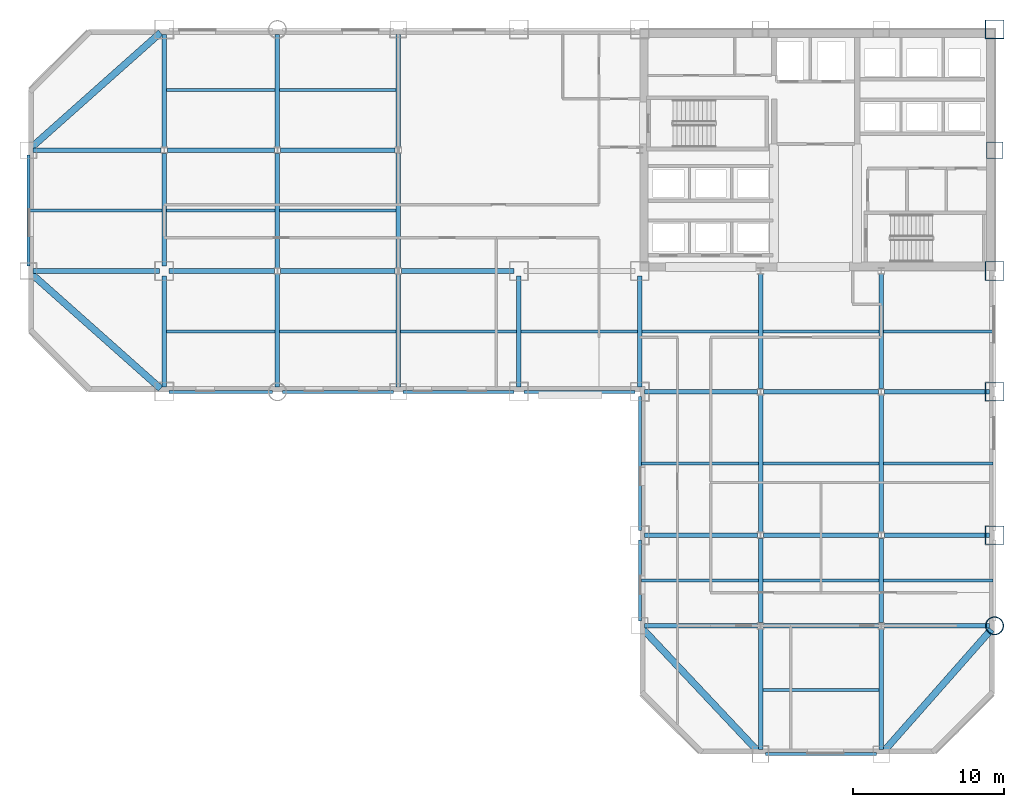
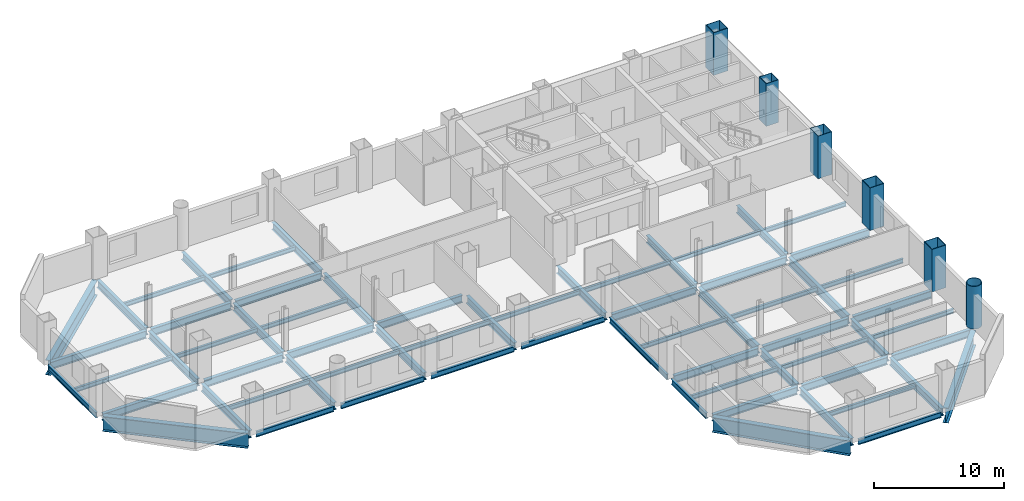
# One storey, part 3 of 9: 66 beams, 6 columns.
"""IFC4 building model written with IfcOpenShell, lengths in metres."""

from ifc_helpers import new_model, si_unit, direction, frame, origin, origin_2d, place, context, subcontext, project, spatial, hollow_rectangle, hollow_circle, i_section, extrude, material, material_profile, profile_set, type_object, element, save


model = new_model("IFC4")

# Units and contexts
model_context = context("Model", 3, precision=1e-05, world=origin(), true_north=direction((0.0, 1.0)))
body_context = subcontext(model_context, "Body", "Model", "MODEL_VIEW")
ifc_project = project(units=[si_unit("LENGTHUNIT", "METRE"), si_unit("AREAUNIT", "SQUARE_METRE"), si_unit("VOLUMEUNIT", "CUBIC_METRE"), si_unit("PLANEANGLEUNIT", "RADIAN"), si_unit("MASSUNIT", "GRAM", prefix="KILO")], contexts=[model_context])

# Site, building, storey
site_placement = place(None, origin())
site = spatial("IfcSite", under=ifc_project, at=site_placement, CompositionType="ELEMENT")
building_placement = place(site_placement, origin())
building = spatial("IfcBuilding", under=site, at=building_placement, Name="Qianrong Seaharbour Tower", CompositionType="ELEMENT")
storey_placement = place(building_placement, frame((0.0, 0.0, 60.199951171875)))
storey = spatial("IfcBuildingStorey", under=building, at=storey_placement, Name="L14", CompositionType="ELEMENT", Elevation=60.199951171875)

# Columns
ifc_material_1 = material(Name="Structural steel SN490B", Category="steel")
ifc_material_profile_1 = material_profile(ifc_material_1, hollow_rectangle(XDim=1.25, YDim=1.25, WallThickness=0.044921875, at=origin_2d()), Name="BOX1250x1250x45")
ifc_profile_set_1 = profile_set([ifc_material_profile_1], Name="Structural steel SN490B")
column_type_1 = type_object("IfcColumnType", Name="COL-CFT-1250", PredefinedType="COLUMN", material=ifc_profile_set_1)
for number, where, z_axis, x_axis, name in (
    (1, (64.0, 18.5, 0.0), (0.0, 0.0, 1.0), (1.0, 0.0, 0.0), "L14 Column MC-2 at G9/GD"),
    (2, (64.0, 28.0, 0.0), (0.0, 0.0, 1.0), (1.0, 0.0, 0.0), "L14 Column MC-2 at G9/GE"),
    (3, (64.0, 36.0, 0.0), (0.0, 0.0, 1.0), (1.0, 0.0, 0.0), "L14 Column MC-2 at G9/GF"),
    (4, (64.0, 52.0, 0.0), (0.0, 0.0, 1.0), (1.0, 0.0, 0.0), "L14 Column MC-2 at G9/GH"),
):
    element("IfcColumn", number, at=place(storey_placement, frame(where, z_axis=z_axis, x_axis=x_axis)), inside=storey, type_object=column_type_1, Name=name, PredefinedType="COLUMN", context=body_context, shape_type="SweptSolid", body=[
        extrude(hollow_rectangle(XDim=1.25, YDim=1.25, WallThickness=0.044921875, at=origin_2d()), origin(), (0.0, 0.0, 1.0), 4.0),
    ])
ifc_material_profile_2 = material_profile(ifc_material_1, hollow_circle(Radius=0.60009765625, WallThickness=0.0400390625, at=origin_2d()), Name="CHS1200x40")
ifc_profile_set_2 = profile_set([ifc_material_profile_2], Name="Structural steel SN490B")
column_type_2 = type_object("IfcColumnType", Name="COL-CHS-1200", PredefinedType="COLUMN", material=ifc_profile_set_2)
column_1_placement = place(storey_placement, frame((64.0, 12.5, 0.0), z_axis=(0.0, 0.0, 1.0), x_axis=(1.0, 0.0, 0.0)))
element("IfcColumn", 5, at=column_1_placement, inside=storey, type_object=column_type_2, Name="L14 Column CC-1 at G9/GC", PredefinedType="COLUMN", context=body_context, shape_type="SweptSolid", body=[
    extrude(hollow_circle(Radius=0.60009765625, WallThickness=0.0400390625, at=origin_2d()), origin(), (0.0, 0.0, 1.0), 4.0),
])
ifc_material_profile_3 = material_profile(ifc_material_1, hollow_rectangle(XDim=1.10009765625, YDim=1.10009765625, WallThickness=0.0400390625, at=origin_2d()), Name="BOX1100x1100x40")
ifc_profile_set_3 = profile_set([ifc_material_profile_3], Name="Structural steel SN490B")
column_type_3 = type_object("IfcColumnType", Name="COL-PER-1100", PredefinedType="COLUMN", material=ifc_profile_set_3)
column_2_placement = place(storey_placement, frame((64.0, 44.0, 0.0), z_axis=(0.0, 0.0, 1.0), x_axis=(1.0, 0.0, 0.0)))
element("IfcColumn", 6, at=column_2_placement, inside=storey, type_object=column_type_3, Name="L14 Column PC-1 at G9/GG", PredefinedType="COLUMN", context=body_context, shape_type="SweptSolid", body=[
    extrude(hollow_rectangle(XDim=1.10009765625, YDim=1.10009765625, WallThickness=0.0400390625, at=origin_2d()), origin(), (0.0, 0.0, 1.0), 4.0),
])

# Beams
ifc_material_profile_4 = material_profile(ifc_material_1, i_section(OverallWidth=0.300048828125, OverallDepth=0.699951171875, WebThickness=0.012939453125, FlangeThickness=0.02392578125, FilletRadius=0.02587890625, at=origin_2d()), Name="H700x300x13x24")
ifc_profile_set_4 = profile_set([ifc_material_profile_4], Name="Structural steel SN490B")
beam_type_1 = type_object("IfcBeamType", Name="BM-G-700", PredefinedType="BEAM", material=ifc_profile_set_4)
beam_1_placement = place(storey_placement, frame((40.820068359375, 12.5, -0.599853515625), z_axis=(1.0, 0.0, 0.0), x_axis=(0.0, 1.0, 0.0)))
element("IfcBeam", 7, at=beam_1_placement, inside=storey, type_object=beam_type_1, Name="L14 Primary Girder GC G6-G7", PredefinedType="BEAM", context=body_context, shape_type="SweptSolid", body=[
    extrude(i_section(OverallWidth=0.300048828125, OverallDepth=0.699951171875, WebThickness=0.012939453125, FlangeThickness=0.02392578125, FilletRadius=0.02587890625, at=origin_2d()), origin(), (0.0, 0.0, 1.0), 7.476318359375),
])
beam_2_placement = place(storey_placement, frame((48.70361328125, 12.5, -0.599853515625), z_axis=(1.0, 0.0, 0.0), x_axis=(0.0, 1.0, 0.0)))
element("IfcBeam", 8, at=beam_2_placement, inside=storey, type_object=beam_type_1, Name="L14 Primary Girder GC G7-G8", PredefinedType="BEAM", context=body_context, shape_type="SweptSolid", body=[
    extrude(i_section(OverallWidth=0.300048828125, OverallDepth=0.699951171875, WebThickness=0.012939453125, FlangeThickness=0.02392578125, FilletRadius=0.02587890625, at=origin_2d()), origin(), (0.0, 0.0, 1.0), 7.5927734375),
])
beam_3_placement = place(storey_placement, frame((56.70361328125, 12.5, -0.599853515625), z_axis=(1.0, 0.0, 0.0), x_axis=(0.0, 1.0, 0.0)))
element("IfcBeam", 9, at=beam_3_placement, inside=storey, type_object=beam_type_1, Name="L14 Primary Girder GC G8-G9", PredefinedType="BEAM", context=body_context, shape_type="SweptSolid", body=[
    extrude(i_section(OverallWidth=0.300048828125, OverallDepth=0.699951171875, WebThickness=0.012939453125, FlangeThickness=0.02392578125, FilletRadius=0.02587890625, at=origin_2d()), origin(), (0.0, 0.0, 1.0), 6.976318359375),
])
beam_4_placement = place(storey_placement, frame((40.820068359375, 18.5, -0.599853515625), z_axis=(1.0, 0.0, 0.0), x_axis=(0.0, 1.0, 0.0)))
element("IfcBeam", 10, at=beam_4_placement, inside=storey, type_object=beam_type_1, Name="L14 Primary Girder GD G6-G7", PredefinedType="BEAM", context=body_context, shape_type="SweptSolid", body=[
    extrude(i_section(OverallWidth=0.300048828125, OverallDepth=0.699951171875, WebThickness=0.012939453125, FlangeThickness=0.02392578125, FilletRadius=0.02587890625, at=origin_2d()), origin(), (0.0, 0.0, 1.0), 7.476318359375),
])
beam_5_placement = place(storey_placement, frame((48.70361328125, 18.5, -0.599853515625), z_axis=(1.0, 0.0, 0.0), x_axis=(0.0, 1.0, 0.0)))
element("IfcBeam", 11, at=beam_5_placement, inside=storey, type_object=beam_type_1, Name="L14 Primary Girder GD G7-G8", PredefinedType="BEAM", context=body_context, shape_type="SweptSolid", body=[
    extrude(i_section(OverallWidth=0.300048828125, OverallDepth=0.699951171875, WebThickness=0.012939453125, FlangeThickness=0.02392578125, FilletRadius=0.02587890625, at=origin_2d()), origin(), (0.0, 0.0, 1.0), 7.5927734375),
])
beam_6_placement = place(storey_placement, frame((56.70361328125, 18.5, -0.599853515625), z_axis=(1.0, 0.0, 0.0), x_axis=(0.0, 1.0, 0.0)))
element("IfcBeam", 12, at=beam_6_placement, inside=storey, type_object=beam_type_1, Name="L14 Primary Girder GD G8-G9", PredefinedType="BEAM", context=body_context, shape_type="SweptSolid", body=[
    extrude(i_section(OverallWidth=0.300048828125, OverallDepth=0.699951171875, WebThickness=0.012939453125, FlangeThickness=0.02392578125, FilletRadius=0.02587890625, at=origin_2d()), origin(), (0.0, 0.0, 1.0), 6.976318359375),
])
beam_7_placement = place(storey_placement, frame((40.820068359375, 28.0, -0.599853515625), z_axis=(1.0, 0.0, 0.0), x_axis=(0.0, 1.0, 0.0)))
element("IfcBeam", 13, at=beam_7_placement, inside=storey, type_object=beam_type_1, Name="L14 Primary Girder GE G6-G7", PredefinedType="BEAM", context=body_context, shape_type="SweptSolid", body=[
    extrude(i_section(OverallWidth=0.300048828125, OverallDepth=0.699951171875, WebThickness=0.012939453125, FlangeThickness=0.02392578125, FilletRadius=0.02587890625, at=origin_2d()), origin(), (0.0, 0.0, 1.0), 7.476318359375),
])
beam_8_placement = place(storey_placement, frame((48.70361328125, 28.0, -0.599853515625), z_axis=(1.0, 0.0, 0.0), x_axis=(0.0, 1.0, 0.0)))
element("IfcBeam", 14, at=beam_8_placement, inside=storey, type_object=beam_type_1, Name="L14 Primary Girder GE G7-G8", PredefinedType="BEAM", context=body_context, shape_type="SweptSolid", body=[
    extrude(i_section(OverallWidth=0.300048828125, OverallDepth=0.699951171875, WebThickness=0.012939453125, FlangeThickness=0.02392578125, FilletRadius=0.02587890625, at=origin_2d()), origin(), (0.0, 0.0, 1.0), 7.5927734375),
])
beam_9_placement = place(storey_placement, frame((56.70361328125, 28.0, -0.599853515625), z_axis=(1.0, 0.0, 0.0), x_axis=(0.0, 1.0, 0.0)))
element("IfcBeam", 15, at=beam_9_placement, inside=storey, type_object=beam_type_1, Name="L14 Primary Girder GE G8-G9", PredefinedType="BEAM", context=body_context, shape_type="SweptSolid", body=[
    extrude(i_section(OverallWidth=0.300048828125, OverallDepth=0.699951171875, WebThickness=0.012939453125, FlangeThickness=0.02392578125, FilletRadius=0.02587890625, at=origin_2d()), origin(), (0.0, 0.0, 1.0), 6.976318359375),
])
beam_10_placement = place(storey_placement, frame((0.320068359375, 36.0, -0.599853515625), z_axis=(1.0, 0.0, 0.0), x_axis=(0.0, 1.0, 0.0)))
element("IfcBeam", 16, at=beam_10_placement, inside=storey, type_object=beam_type_1, Name="L14 Primary Girder GF G1-G2", PredefinedType="BEAM", context=body_context, shape_type="SweptSolid", body=[
    extrude(i_section(OverallWidth=0.300048828125, OverallDepth=0.699951171875, WebThickness=0.012939453125, FlangeThickness=0.02392578125, FilletRadius=0.02587890625, at=origin_2d()), origin(), (0.0, 0.0, 1.0), 8.35986328125),
])
beam_11_placement = place(storey_placement, frame((9.320068359375, 36.0, -0.599853515625), z_axis=(1.0, 0.0, 0.0), x_axis=(0.0, 1.0, 0.0)))
element("IfcBeam", 17, at=beam_11_placement, inside=storey, type_object=beam_type_1, Name="L14 Primary Girder GF G2-G3", PredefinedType="BEAM", context=body_context, shape_type="SweptSolid", body=[
    extrude(i_section(OverallWidth=0.300048828125, OverallDepth=0.699951171875, WebThickness=0.012939453125, FlangeThickness=0.02392578125, FilletRadius=0.02587890625, at=origin_2d()), origin(), (0.0, 0.0, 1.0), 6.976318359375),
])
beam_12_placement = place(storey_placement, frame((16.70361328125, 36.0, -0.599853515625), z_axis=(1.0, 0.0, 0.0), x_axis=(0.0, 1.0, 0.0)))
element("IfcBeam", 18, at=beam_12_placement, inside=storey, type_object=beam_type_1, Name="L14 Primary Girder GF G3-G4", PredefinedType="BEAM", context=body_context, shape_type="SweptSolid", body=[
    extrude(i_section(OverallWidth=0.300048828125, OverallDepth=0.699951171875, WebThickness=0.012939453125, FlangeThickness=0.02392578125, FilletRadius=0.02587890625, at=origin_2d()), origin(), (0.0, 0.0, 1.0), 7.5927734375),
])
beam_13_placement = place(storey_placement, frame((24.70361328125, 36.0, -0.599853515625), z_axis=(1.0, 0.0, 0.0), x_axis=(0.0, 1.0, 0.0)))
element("IfcBeam", 19, at=beam_13_placement, inside=storey, type_object=beam_type_1, Name="L14 Primary Girder GF G4-G5", PredefinedType="BEAM", context=body_context, shape_type="SweptSolid", body=[
    extrude(i_section(OverallWidth=0.300048828125, OverallDepth=0.699951171875, WebThickness=0.012939453125, FlangeThickness=0.02392578125, FilletRadius=0.02587890625, at=origin_2d()), origin(), (0.0, 0.0, 1.0), 7.476318359375),
])
beam_14_placement = place(storey_placement, frame((0.320068359375, 44.0, -0.599853515625), z_axis=(1.0, 0.0, 0.0), x_axis=(0.0, 1.0, 0.0)))
element("IfcBeam", 20, at=beam_14_placement, inside=storey, type_object=beam_type_1, Name="L14 Primary Girder GG G1-G2", PredefinedType="BEAM", context=body_context, shape_type="SweptSolid", body=[
    extrude(i_section(OverallWidth=0.300048828125, OverallDepth=0.699951171875, WebThickness=0.012939453125, FlangeThickness=0.02392578125, FilletRadius=0.02587890625, at=origin_2d()), origin(), (0.0, 0.0, 1.0), 8.476318359375),
])
beam_15_placement = place(storey_placement, frame((9.20361328125, 44.0, -0.599853515625), z_axis=(1.0, 0.0, 0.0), x_axis=(0.0, 1.0, 0.0)))
element("IfcBeam", 21, at=beam_15_placement, inside=storey, type_object=beam_type_1, Name="L14 Primary Girder GG G2-G3", PredefinedType="BEAM", context=body_context, shape_type="SweptSolid", body=[
    extrude(i_section(OverallWidth=0.300048828125, OverallDepth=0.699951171875, WebThickness=0.012939453125, FlangeThickness=0.02392578125, FilletRadius=0.02587890625, at=origin_2d()), origin(), (0.0, 0.0, 1.0), 7.0927734375),
])
beam_16_placement = place(storey_placement, frame((16.70361328125, 44.0, -0.599853515625), z_axis=(1.0, 0.0, 0.0), x_axis=(0.0, 1.0, 0.0)))
element("IfcBeam", 22, at=beam_16_placement, inside=storey, type_object=beam_type_1, Name="L14 Primary Girder GG G3-G4", PredefinedType="BEAM", context=body_context, shape_type="SweptSolid", body=[
    extrude(i_section(OverallWidth=0.300048828125, OverallDepth=0.699951171875, WebThickness=0.012939453125, FlangeThickness=0.02392578125, FilletRadius=0.02587890625, at=origin_2d()), origin(), (0.0, 0.0, 1.0), 7.5927734375),
])
beam_17_placement = place(storey_placement, frame((9.0, 28.320068359375, -0.599853515625), z_axis=(0.0, 1.0, 0.0), x_axis=(-1.0, 0.0, 0.0)))
element("IfcBeam", 23, at=beam_17_placement, inside=storey, type_object=beam_type_1, Name="L14 Primary Girder G2 GE-GF", PredefinedType="BEAM", context=body_context, shape_type="SweptSolid", body=[
    extrude(i_section(OverallWidth=0.300048828125, OverallDepth=0.699951171875, WebThickness=0.012939453125, FlangeThickness=0.02392578125, FilletRadius=0.02587890625, at=origin_2d()), origin(), (0.0, 0.0, 1.0), 7.35986328125),
])
for number, where, z_axis, x_axis, name in (
    (24, (9.0, 36.320068359375, -0.599853515625), (0.0, 1.0, 0.0), (-1.0, 0.0, 0.0), "L14 Primary Girder G2 GF-GG"),
    (25, (9.0, 44.214111328125, -0.599853515625), (0.0, 1.0, 0.0), (-1.0, 0.0, 0.0), "L14 Primary Girder G2 GG-GH"),
    (26, (16.5, 28.320068359375, -0.599853515625), (0.0, 1.0, 0.0), (-1.0, 0.0, 0.0), "L14 Primary Girder G3 GE-GF"),
):
    element("IfcBeam", number, at=place(storey_placement, frame(where, z_axis=z_axis, x_axis=x_axis)), inside=storey, type_object=beam_type_1, Name=name, PredefinedType="BEAM", context=body_context, shape_type="SweptSolid", body=[
        extrude(i_section(OverallWidth=0.300048828125, OverallDepth=0.699951171875, WebThickness=0.012939453125, FlangeThickness=0.02392578125, FilletRadius=0.02587890625, at=origin_2d()), origin(), (0.0, 0.0, 1.0), 7.4658203125),
    ])
beam_18_placement = place(storey_placement, frame((16.5, 36.214111328125, -0.599853515625), z_axis=(0.0, 1.0, 0.0), x_axis=(-1.0, 0.0, 0.0)))
element("IfcBeam", 27, at=beam_18_placement, inside=storey, type_object=beam_type_1, Name="L14 Primary Girder G3 GF-GG", PredefinedType="BEAM", context=body_context, shape_type="SweptSolid", body=[
    extrude(i_section(OverallWidth=0.300048828125, OverallDepth=0.699951171875, WebThickness=0.012939453125, FlangeThickness=0.02392578125, FilletRadius=0.02587890625, at=origin_2d()), origin(), (0.0, 0.0, 1.0), 7.57177734375),
])
for number, where, z_axis, x_axis, name in (
    (28, (16.5, 44.214111328125, -0.599853515625), (0.0, 1.0, 0.0), (-1.0, 0.0, 0.0), "L14 Primary Girder G3 GG-GH"),
    (29, (24.5, 28.320068359375, -0.599853515625), (0.0, 1.0, 0.0), (-1.0, 0.0, 0.0), "L14 Primary Girder G4 GE-GF"),
):
    element("IfcBeam", number, at=place(storey_placement, frame(where, z_axis=z_axis, x_axis=x_axis)), inside=storey, type_object=beam_type_1, Name=name, PredefinedType="BEAM", context=body_context, shape_type="SweptSolid", body=[
        extrude(i_section(OverallWidth=0.300048828125, OverallDepth=0.699951171875, WebThickness=0.012939453125, FlangeThickness=0.02392578125, FilletRadius=0.02587890625, at=origin_2d()), origin(), (0.0, 0.0, 1.0), 7.4658203125),
    ])
beam_19_placement = place(storey_placement, frame((24.5, 36.214111328125, -0.599853515625), z_axis=(0.0, 1.0, 0.0), x_axis=(-1.0, 0.0, 0.0)))
element("IfcBeam", 30, at=beam_19_placement, inside=storey, type_object=beam_type_1, Name="L14 Primary Girder G4 GF-GG", PredefinedType="BEAM", context=body_context, shape_type="SweptSolid", body=[
    extrude(i_section(OverallWidth=0.300048828125, OverallDepth=0.699951171875, WebThickness=0.012939453125, FlangeThickness=0.02392578125, FilletRadius=0.02587890625, at=origin_2d()), origin(), (0.0, 0.0, 1.0), 7.57177734375),
])
beam_20_placement = place(storey_placement, frame((24.5, 44.214111328125, -0.599853515625), z_axis=(0.0, 1.0, 0.0), x_axis=(-1.0, 0.0, 0.0)))
element("IfcBeam", 31, at=beam_20_placement, inside=storey, type_object=beam_type_1, Name="L14 Primary Girder G4 GG-GH", PredefinedType="BEAM", context=body_context, shape_type="SweptSolid", body=[
    extrude(i_section(OverallWidth=0.300048828125, OverallDepth=0.699951171875, WebThickness=0.012939453125, FlangeThickness=0.02392578125, FilletRadius=0.02587890625, at=origin_2d()), origin(), (0.0, 0.0, 1.0), 7.4658203125),
])
for number, where, z_axis, x_axis, name in (
    (32, (32.5, 28.320068359375, -0.599853515625), (0.0, 1.0, 0.0), (-1.0, 0.0, 0.0), "L14 Primary Girder G5 GE-GF"),
    (33, (40.5, 28.320068359375, -0.599853515625), (0.0, 1.0, 0.0), (-1.0, 0.0, 0.0), "L14 Primary Girder G6 GE-GF"),
):
    element("IfcBeam", number, at=place(storey_placement, frame(where, z_axis=z_axis, x_axis=x_axis)), inside=storey, type_object=beam_type_1, Name=name, PredefinedType="BEAM", context=body_context, shape_type="SweptSolid", body=[
        extrude(i_section(OverallWidth=0.300048828125, OverallDepth=0.699951171875, WebThickness=0.012939453125, FlangeThickness=0.02392578125, FilletRadius=0.02587890625, at=origin_2d()), origin(), (0.0, 0.0, 1.0), 7.35986328125),
    ])
beam_21_placement = place(storey_placement, frame((48.5, 4.320068359375, -0.599853515625), z_axis=(0.0, 1.0, 0.0), x_axis=(-1.0, 0.0, 0.0)))
element("IfcBeam", 34, at=beam_21_placement, inside=storey, type_object=beam_type_1, Name="L14 Primary Girder G7 GB-GC", PredefinedType="BEAM", context=body_context, shape_type="SweptSolid", body=[
    extrude(i_section(OverallWidth=0.300048828125, OverallDepth=0.699951171875, WebThickness=0.012939453125, FlangeThickness=0.02392578125, FilletRadius=0.02587890625, at=origin_2d()), origin(), (0.0, 0.0, 1.0), 7.9658203125),
])
beam_22_placement = place(storey_placement, frame((48.5, 12.714111328125, -0.599853515625), z_axis=(0.0, 1.0, 0.0), x_axis=(-1.0, 0.0, 0.0)))
element("IfcBeam", 35, at=beam_22_placement, inside=storey, type_object=beam_type_1, Name="L14 Primary Girder G7 GC-GD", PredefinedType="BEAM", context=body_context, shape_type="SweptSolid", body=[
    extrude(i_section(OverallWidth=0.300048828125, OverallDepth=0.699951171875, WebThickness=0.012939453125, FlangeThickness=0.02392578125, FilletRadius=0.02587890625, at=origin_2d()), origin(), (0.0, 0.0, 1.0), 5.57177734375),
])
beam_23_placement = place(storey_placement, frame((48.5, 28.214111328125, -0.599853515625), z_axis=(0.0, 1.0, 0.0), x_axis=(-1.0, 0.0, 0.0)))
element("IfcBeam", 36, at=beam_23_placement, inside=storey, type_object=beam_type_1, Name="L14 Primary Girder G7 GE-GF", PredefinedType="BEAM", context=body_context, shape_type="SweptSolid", body=[
    extrude(i_section(OverallWidth=0.300048828125, OverallDepth=0.699951171875, WebThickness=0.012939453125, FlangeThickness=0.02392578125, FilletRadius=0.02587890625, at=origin_2d()), origin(), (0.0, 0.0, 1.0), 7.57177734375),
])
beam_24_placement = place(storey_placement, frame((56.5, 4.320068359375, -0.599853515625), z_axis=(0.0, 1.0, 0.0), x_axis=(-1.0, 0.0, 0.0)))
element("IfcBeam", 37, at=beam_24_placement, inside=storey, type_object=beam_type_1, Name="L14 Primary Girder G8 GB-GC", PredefinedType="BEAM", context=body_context, shape_type="SweptSolid", body=[
    extrude(i_section(OverallWidth=0.300048828125, OverallDepth=0.699951171875, WebThickness=0.012939453125, FlangeThickness=0.02392578125, FilletRadius=0.02587890625, at=origin_2d()), origin(), (0.0, 0.0, 1.0), 7.9658203125),
])
beam_25_placement = place(storey_placement, frame((56.5, 12.714111328125, -0.599853515625), z_axis=(0.0, 1.0, 0.0), x_axis=(-1.0, 0.0, 0.0)))
element("IfcBeam", 38, at=beam_25_placement, inside=storey, type_object=beam_type_1, Name="L14 Primary Girder G8 GC-GD", PredefinedType="BEAM", context=body_context, shape_type="SweptSolid", body=[
    extrude(i_section(OverallWidth=0.300048828125, OverallDepth=0.699951171875, WebThickness=0.012939453125, FlangeThickness=0.02392578125, FilletRadius=0.02587890625, at=origin_2d()), origin(), (0.0, 0.0, 1.0), 5.57177734375),
])
beam_26_placement = place(storey_placement, frame((56.5, 28.214111328125, -0.599853515625), z_axis=(0.0, 1.0, 0.0), x_axis=(-1.0, 0.0, 0.0)))
element("IfcBeam", 39, at=beam_26_placement, inside=storey, type_object=beam_type_1, Name="L14 Primary Girder G8 GE-GF", PredefinedType="BEAM", context=body_context, shape_type="SweptSolid", body=[
    extrude(i_section(OverallWidth=0.300048828125, OverallDepth=0.699951171875, WebThickness=0.012939453125, FlangeThickness=0.02392578125, FilletRadius=0.02587890625, at=origin_2d()), origin(), (0.0, 0.0, 1.0), 7.57177734375),
])
ifc_material_profile_5 = material_profile(ifc_material_1, i_section(OverallWidth=0.300048828125, OverallDepth=0.800048828125, WebThickness=0.013916015625, FlangeThickness=0.02587890625, FilletRadius=0.028076171875, at=origin_2d()), Name="H800x300x14x26")
ifc_profile_set_5 = profile_set([ifc_material_profile_5], Name="Structural steel SN490B")
beam_type_2 = type_object("IfcBeamType", Name="BM-G-800", PredefinedType="BEAM", material=ifc_profile_set_5)
for number, where, z_axis, x_axis, name in (
    (40, (48.5, 18.714111328125, -0.64990234375), (0.0, 1.0, 0.0), (-1.0, 0.0, 0.0), "L14 Primary Girder G7 GD-GE"),
    (41, (56.5, 18.714111328125, -0.64990234375), (0.0, 1.0, 0.0), (-1.0, 0.0, 0.0), "L14 Primary Girder G8 GD-GE"),
):
    element("IfcBeam", number, at=place(storey_placement, frame(where, z_axis=z_axis, x_axis=x_axis)), inside=storey, type_object=beam_type_2, Name=name, PredefinedType="BEAM", context=body_context, shape_type="SweptSolid", body=[
        extrude(i_section(OverallWidth=0.300048828125, OverallDepth=0.800048828125, WebThickness=0.013916015625, FlangeThickness=0.02587890625, FilletRadius=0.028076171875, at=origin_2d()), origin(), (0.0, 0.0, 1.0), 9.07177734375),
    ])
ifc_material_2 = material(Name="Structural steel SN400B", Category="steel")
ifc_material_profile_6 = material_profile(ifc_material_2, i_section(OverallWidth=0.199951171875, OverallDepth=0.39990234375, WebThickness=0.008056640625, FlangeThickness=0.012939453125, FilletRadius=0.01611328125, at=origin_2d()), Name="H400x200x8x13")
ifc_profile_set_6 = profile_set([ifc_material_profile_6], Name="Structural steel SN400B")
beam_type_3 = type_object("IfcBeamType", Name="BM-J-400", PredefinedType="JOIST", material=ifc_profile_set_6)
beam_27_placement = place(storey_placement, frame((0.10009765625, 40.0, -0.449951171875), z_axis=(1.0, 0.0, 0.0), x_axis=(0.0, 1.0, 0.0)))
element("IfcBeam", 42, at=beam_27_placement, inside=storey, type_object=beam_type_3, Name="L14 Composite Floor Joist G1-G2/GF-GG", PredefinedType="JOIST", context=body_context, shape_type="SweptSolid", body=[
    extrude(i_section(OverallWidth=0.199951171875, OverallDepth=0.39990234375, WebThickness=0.008056640625, FlangeThickness=0.012939453125, FilletRadius=0.01611328125, at=origin_2d()), origin(), (0.0, 0.0, 1.0), 8.75),
])
for number, where, z_axis, x_axis, name in (
    (43, (9.14990234375, 32.0, -0.449951171875), (1.0, 0.0, 0.0), (0.0, 1.0, 0.0), "L14 Composite Floor Joist G2-G3/GE-GF"),
    (44, (9.14990234375, 40.0, -0.449951171875), (1.0, 0.0, 0.0), (0.0, 1.0, 0.0), "L14 Composite Floor Joist G2-G3/GF-GG"),
    (45, (9.14990234375, 48.0, -0.449951171875), (1.0, 0.0, 0.0), (0.0, 1.0, 0.0), "L14 Composite Floor Joist G2-G3/GG-GH"),
):
    element("IfcBeam", number, at=place(storey_placement, frame(where, z_axis=z_axis, x_axis=x_axis)), inside=storey, type_object=beam_type_3, Name=name, PredefinedType="JOIST", context=body_context, shape_type="SweptSolid", body=[
        extrude(i_section(OverallWidth=0.199951171875, OverallDepth=0.39990234375, WebThickness=0.008056640625, FlangeThickness=0.012939453125, FilletRadius=0.01611328125, at=origin_2d()), origin(), (0.0, 0.0, 1.0), 7.2001953125),
    ])
for number, where, z_axis, x_axis, name in (
    (46, (16.64990234375, 32.0, -0.449951171875), (1.0, 0.0, 0.0), (0.0, 1.0, 0.0), "L14 Composite Floor Joist G3-G4/GE-GF"),
    (47, (16.64990234375, 40.0, -0.449951171875), (1.0, 0.0, 0.0), (0.0, 1.0, 0.0), "L14 Composite Floor Joist G3-G4/GF-GG"),
    (48, (16.64990234375, 48.0, -0.449951171875), (1.0, 0.0, 0.0), (0.0, 1.0, 0.0), "L14 Composite Floor Joist G3-G4/GG-GH"),
    (49, (24.64990234375, 32.0, -0.449951171875), (1.0, 0.0, 0.0), (0.0, 1.0, 0.0), "L14 Composite Floor Joist G4-G5/GE-GF"),
    (50, (32.64990234375, 32.0, -0.449951171875), (1.0, 0.0, 0.0), (0.0, 1.0, 0.0), "L14 Composite Floor Joist G5-G6/GE-GF"),
):
    element("IfcBeam", number, at=place(storey_placement, frame(where, z_axis=z_axis, x_axis=x_axis)), inside=storey, type_object=beam_type_3, Name=name, PredefinedType="JOIST", context=body_context, shape_type="SweptSolid", body=[
        extrude(i_section(OverallWidth=0.199951171875, OverallDepth=0.39990234375, WebThickness=0.008056640625, FlangeThickness=0.012939453125, FilletRadius=0.01611328125, at=origin_2d()), origin(), (0.0, 0.0, 1.0), 7.7001953125),
    ])
for number, where, z_axis, x_axis, name in (
    (51, (40.60009765625, 15.5, -0.449951171875), (1.0, 0.0, 0.0), (0.0, 1.0, 0.0), "L14 Composite Floor Joist G6-G7/GC-GD"),
    (52, (40.60009765625, 23.25, -0.449951171875), (1.0, 0.0, 0.0), (0.0, 1.0, 0.0), "L14 Composite Floor Joist G6-G7/GD-GE"),
):
    element("IfcBeam", number, at=place(storey_placement, frame(where, z_axis=z_axis, x_axis=x_axis)), inside=storey, type_object=beam_type_3, Name=name, PredefinedType="JOIST", context=body_context, shape_type="SweptSolid", body=[
        extrude(i_section(OverallWidth=0.199951171875, OverallDepth=0.39990234375, WebThickness=0.008056640625, FlangeThickness=0.012939453125, FilletRadius=0.01611328125, at=origin_2d()), origin(), (0.0, 0.0, 1.0), 7.75),
    ])
for number, where, z_axis, x_axis, name in (
    (53, (40.64990234375, 32.0, -0.449951171875), (1.0, 0.0, 0.0), (0.0, 1.0, 0.0), "L14 Composite Floor Joist G6-G7/GE-GF"),
    (54, (48.64990234375, 8.25, -0.449951171875), (1.0, 0.0, 0.0), (0.0, 1.0, 0.0), "L14 Composite Floor Joist G7-G8/GB-GC"),
    (55, (48.64990234375, 15.5, -0.449951171875), (1.0, 0.0, 0.0), (0.0, 1.0, 0.0), "L14 Composite Floor Joist G7-G8/GC-GD"),
    (56, (48.64990234375, 23.25, -0.449951171875), (1.0, 0.0, 0.0), (0.0, 1.0, 0.0), "L14 Composite Floor Joist G7-G8/GD-GE"),
    (57, (48.64990234375, 32.0, -0.449951171875), (1.0, 0.0, 0.0), (0.0, 1.0, 0.0), "L14 Composite Floor Joist G7-G8/GE-GF"),
):
    element("IfcBeam", number, at=place(storey_placement, frame(where, z_axis=z_axis, x_axis=x_axis)), inside=storey, type_object=beam_type_3, Name=name, PredefinedType="JOIST", context=body_context, shape_type="SweptSolid", body=[
        extrude(i_section(OverallWidth=0.199951171875, OverallDepth=0.39990234375, WebThickness=0.008056640625, FlangeThickness=0.012939453125, FilletRadius=0.01611328125, at=origin_2d()), origin(), (0.0, 0.0, 1.0), 7.7001953125),
    ])
for number, where, z_axis, x_axis, name in (
    (58, (56.64990234375, 15.5, -0.449951171875), (1.0, 0.0, 0.0), (0.0, 1.0, 0.0), "L14 Composite Floor Joist G8-G9/GC-GD"),
    (59, (56.64990234375, 23.25, -0.449951171875), (1.0, 0.0, 0.0), (0.0, 1.0, 0.0), "L14 Composite Floor Joist G8-G9/GD-GE"),
    (60, (56.64990234375, 32.0, -0.449951171875), (1.0, 0.0, 0.0), (0.0, 1.0, 0.0), "L14 Composite Floor Joist G8-G9/GE-GF"),
):
    element("IfcBeam", number, at=place(storey_placement, frame(where, z_axis=z_axis, x_axis=x_axis)), inside=storey, type_object=beam_type_3, Name=name, PredefinedType="JOIST", context=body_context, shape_type="SweptSolid", body=[
        extrude(i_section(OverallWidth=0.199951171875, OverallDepth=0.39990234375, WebThickness=0.008056640625, FlangeThickness=0.012939453125, FilletRadius=0.01611328125, at=origin_2d()), origin(), (0.0, 0.0, 1.0), 7.25),
    ])
ifc_material_profile_7 = material_profile(ifc_material_1, i_section(OverallWidth=0.199951171875, OverallDepth=0.5, WebThickness=0.010009765625, FlangeThickness=0.01611328125, FilletRadius=0.02001953125, at=origin_2d()), Name="H500x200x10x16")
ifc_profile_set_7 = profile_set([ifc_material_profile_7], Name="Structural steel SN490B")
beam_type_4 = type_object("IfcBeamType", Name="BM-SP-500", PredefinedType="SPANDREL", material=ifc_profile_set_7)
beam_28_placement = place(storey_placement, frame((48.820068359375, 4.0, -0.5), z_axis=(1.0, 0.0, 0.0), x_axis=(0.0, 1.0, 0.0)))
element("IfcBeam", 61, at=beam_28_placement, inside=storey, type_object=beam_type_4, Name="L14 Spandrel Girder GB G7-G8", PredefinedType="SPANDREL", context=body_context, shape_type="SweptSolid", body=[
    extrude(i_section(OverallWidth=0.199951171875, OverallDepth=0.5, WebThickness=0.010009765625, FlangeThickness=0.01611328125, FilletRadius=0.02001953125, at=origin_2d()), origin(), (0.0, 0.0, 1.0), 7.35986328125),
])
beam_29_placement = place(storey_placement, frame((9.320068359375, 28.0, -0.5), z_axis=(1.0, 0.0, 0.0), x_axis=(0.0, 1.0, 0.0)))
element("IfcBeam", 62, at=beam_29_placement, inside=storey, type_object=beam_type_4, Name="L14 Spandrel Girder GE G2-G3", PredefinedType="SPANDREL", context=body_context, shape_type="SweptSolid", body=[
    extrude(i_section(OverallWidth=0.199951171875, OverallDepth=0.5, WebThickness=0.010009765625, FlangeThickness=0.01611328125, FilletRadius=0.02001953125, at=origin_2d()), origin(), (0.0, 0.0, 1.0), 6.85986328125),
])
for number, where, z_axis, x_axis, name in (
    (63, (16.820068359375, 28.0, -0.5), (1.0, 0.0, 0.0), (0.0, 1.0, 0.0), "L14 Spandrel Girder GE G3-G4"),
    (64, (24.820068359375, 28.0, -0.5), (1.0, 0.0, 0.0), (0.0, 1.0, 0.0), "L14 Spandrel Girder GE G4-G5"),
    (65, (32.820068359375, 28.0, -0.5), (1.0, 0.0, 0.0), (0.0, 1.0, 0.0), "L14 Spandrel Girder GE G5-G6"),
    (66, (0.0, 36.320068359375, -0.5), (0.0, 1.0, 0.0), (-1.0, 0.0, 0.0), "L14 Spandrel Girder G1 GF-GG"),
):
    element("IfcBeam", number, at=place(storey_placement, frame(where, z_axis=z_axis, x_axis=x_axis)), inside=storey, type_object=beam_type_4, Name=name, PredefinedType="SPANDREL", context=body_context, shape_type="SweptSolid", body=[
        extrude(i_section(OverallWidth=0.199951171875, OverallDepth=0.5, WebThickness=0.010009765625, FlangeThickness=0.01611328125, FilletRadius=0.02001953125, at=origin_2d()), origin(), (0.0, 0.0, 1.0), 7.35986328125),
    ])
beam_30_placement = place(storey_placement, frame((40.5, 12.820068359375, -0.5), z_axis=(0.0, 1.0, 0.0), x_axis=(-1.0, 0.0, 0.0)))
element("IfcBeam", 67, at=beam_30_placement, inside=storey, type_object=beam_type_4, Name="L14 Spandrel Girder G6 GC-GD", PredefinedType="SPANDREL", context=body_context, shape_type="SweptSolid", body=[
    extrude(i_section(OverallWidth=0.199951171875, OverallDepth=0.5, WebThickness=0.010009765625, FlangeThickness=0.01611328125, FilletRadius=0.02001953125, at=origin_2d()), origin(), (0.0, 0.0, 1.0), 5.35986328125),
])
beam_31_placement = place(storey_placement, frame((40.5, 18.820068359375, -0.5), z_axis=(0.0, 1.0, 0.0), x_axis=(-1.0, 0.0, 0.0)))
element("IfcBeam", 68, at=beam_31_placement, inside=storey, type_object=beam_type_4, Name="L14 Spandrel Girder G6 GD-GE", PredefinedType="SPANDREL", context=body_context, shape_type="SweptSolid", body=[
    extrude(i_section(OverallWidth=0.199951171875, OverallDepth=0.5, WebThickness=0.010009765625, FlangeThickness=0.01611328125, FilletRadius=0.02001953125, at=origin_2d()), origin(), (0.0, 0.0, 1.0), 8.85986328125),
])
ifc_material_profile_8 = material_profile(ifc_material_1, i_section(OverallWidth=0.449951171875, OverallDepth=1.39990234375, WebThickness=0.02197265625, FlangeThickness=0.0400390625, at=origin_2d()), Name="BH1400x450x22x40")
ifc_profile_set_8 = profile_set([ifc_material_profile_8], Name="Structural steel SN490B")
beam_type_5 = type_object("IfcBeamType", Name="BM-TG-1400", PredefinedType="BEAM", material=ifc_profile_set_8)
for number, where, z_axis, x_axis, name in (
    (69, (8.7607421875, 28.212646484375, -0.949951171875), (-0.747406955841, 0.664366497018, 0.0), (-0.664366497018, -0.747406955841, 0.0), "L14 Chamfer Corner Spandrel Girder G1/GE"),
    (70, (8.7607421875, 51.787353515625, -0.949951171875), (-0.747406955841, -0.664366497018, 0.0), (0.664366497018, -0.747406955841, 0.0), "L14 Chamfer Corner Spandrel Girder G1/GH"),
):
    element("IfcBeam", number, at=place(storey_placement, frame(where, z_axis=z_axis, x_axis=x_axis)), inside=storey, type_object=beam_type_5, Name=name, PredefinedType="BEAM", context=body_context, shape_type="SweptSolid", body=[
        extrude(i_section(OverallWidth=0.449951171875, OverallDepth=1.39990234375, WebThickness=0.02197265625, FlangeThickness=0.0400390625, at=origin_2d()), origin(), (0.0, 0.0, 1.0), 11.4013671875),
    ])
beam_32_placement = place(storey_placement, frame((48.28076171875, 4.23291015625, -0.949951171875), z_axis=(-0.685361938021, 0.728202591256, 0.0), x_axis=(-0.728202591256, -0.685361938021, 0.0)))
element("IfcBeam", 71, at=beam_32_placement, inside=storey, type_object=beam_type_5, Name="L14 Chamfer Corner Spandrel Girder G6/GB", PredefinedType="BEAM", context=body_context, shape_type="SweptSolid", body=[
    extrude(i_section(OverallWidth=0.449951171875, OverallDepth=1.39990234375, WebThickness=0.02197265625, FlangeThickness=0.0400390625, at=origin_2d()), origin(), (0.0, 0.0, 1.0), 11.032958984375),
])
beam_33_placement = place(storey_placement, frame((56.711669921875, 4.239990234375, -0.949951171875), z_axis=(0.661630696334, 0.749829861815, 0.0), x_axis=(-0.749829861815, 0.661630696334, 0.0)))
element("IfcBeam", 72, at=beam_33_placement, inside=storey, type_object=beam_type_5, Name="L14 Chamfer Corner Spandrel Girder G9/GB", PredefinedType="BEAM", context=body_context, shape_type="SweptSolid", body=[
    extrude(i_section(OverallWidth=0.449951171875, OverallDepth=1.39990234375, WebThickness=0.02197265625, FlangeThickness=0.0400390625, at=origin_2d()), origin(), (0.0, 0.0, 1.0), 10.69580078125),
])

save(model, "model.ifc")
